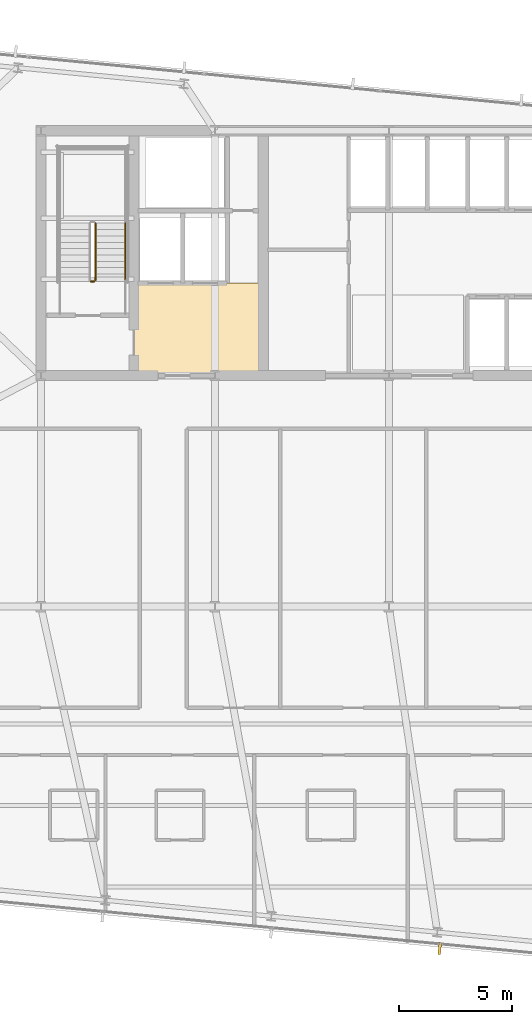
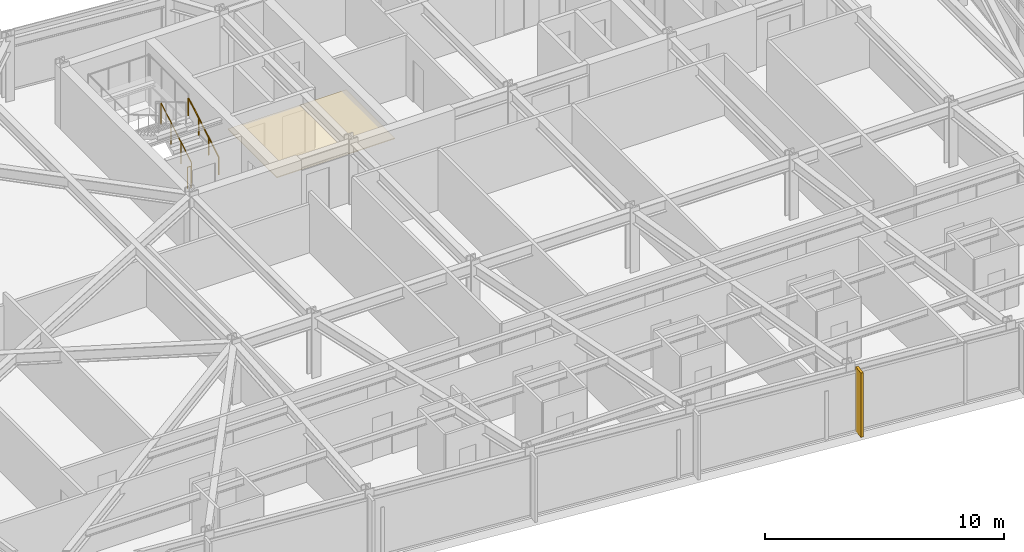
# One storey, part 33 of 37: 3 railings, 1 covering, 1 shading device.
"""IFC4 building model written with IfcOpenShell, lengths in metres."""

from ifc_helpers import new_model, si_unit, direction, frame, origin, origin_2d, place, context, subcontext, project, spatial, polyline, rectangle, circle, outline, extrude, material, layer, layer_set, type_object, element, save


model = new_model("IFC4")

# Units and contexts
model_context = context("Model", 3, precision=1e-05, world=origin(), true_north=direction((0.0, 1.0)))
body_context = subcontext(model_context, "Body", "Model", "MODEL_VIEW")
ifc_project = project(units=[si_unit("LENGTHUNIT", "METRE"), si_unit("AREAUNIT", "SQUARE_METRE"), si_unit("VOLUMEUNIT", "CUBIC_METRE"), si_unit("PLANEANGLEUNIT", "RADIAN"), si_unit("MASSUNIT", "GRAM", prefix="KILO")], contexts=[model_context])

# Site, building, storey
site_placement = place(None, origin())
site = spatial("IfcSite", under=ifc_project, at=site_placement, CompositionType="ELEMENT")
building_placement = place(site_placement, origin())
building = spatial("IfcBuilding", under=site, at=building_placement, Name="Yelkora Congress Tower", CompositionType="ELEMENT")
storey_placement = place(building_placement, frame((0.0, 0.0, 149.0)))
storey = spatial("IfcBuildingStorey", under=building, at=storey_placement, Name="L40", CompositionType="ELEMENT", Elevation=149.0)

# Covering
ifc_material_1 = material(Name="Perforated mineral-fibre acoustic ceiling", Category="gypsum")
ifc_layer_1 = layer(ifc_material_1, 0.0400390625)
ifc_layer_set_1 = layer_set([ifc_layer_1], Name="Perforated mineral-fibre acoustic ceiling")
covering_type = type_object("IfcCoveringType", Name="COV-CEIL-ACOUSTIC-40", PredefinedType="CEILING", material=ifc_layer_set_1)
covering_placement = place(storey_placement, frame((0.0, 0.0, 2.39990234375)))
element("IfcCovering", 1, at=covering_placement, inside=storey, type_object=covering_type, Name="L40 Firefighting Lobby Acoustic Ceiling", PredefinedType="CEILING", context=body_context, shape_type="SweptSolid", body=[
    extrude(outline(polyline([(27.14990234375, 35.39990234375), (32.85009765625, 35.39990234375), (32.85009765625, 39.47998046875), (27.14990234375, 39.47998046875), (27.14990234375, 35.39990234375)])), origin(), (0.0, 0.0, 1.0), 0.0400390625),
])

# Railings
ifc_material_2 = material(Name="Painted galvanised steel stair well guard with vertical infill", Category="steel")
ifc_layer_2 = layer(ifc_material_2, 0.06005859375)
ifc_layer_set_2 = layer_set([ifc_layer_2], Name="Painted galvanised steel stair well guard with vertical infill")
railing_type_1 = type_object("IfcRailingType", Name="RAIL-STAIR-GUARD-1120", PredefinedType="GUARDRAIL", material=ifc_layer_set_2)
railing_1_placement = place(storey_placement, frame((25.449951171875, 39.60009765625, 0.1650390625)))
element("IfcRailing", 2, at=railing_1_placement, inside=storey, type_object=railing_type_1, Name="ST-01 L40 Stair Well Guardrail 1", PredefinedType="GUARDRAIL", context=body_context, shape_type="SweptSolid", body=[
    extrude(circle(Radius=0.02392578125, at=origin_2d()), frame((0.0, 0.0, 1.09619140625), z_axis=(0.0, 0.861560626758, 0.507654692109), x_axis=(-1.0, 0.0, 0.0)), (0.0, 0.0, 1.0), 2.925048828125),
    extrude(circle(Radius=0.02099609375, at=origin_2d()), origin(), (0.0, 0.0, 1.0), 1.072021484375),
    extrude(circle(Radius=0.02099609375, at=origin_2d()), frame((0.0, 0.840087890625, 0.494873046875)), (0.0, 0.0, 1.0), 1.072021484375),
    extrude(circle(Radius=0.02099609375, at=origin_2d()), frame((0.0, 1.679931640625, 0.989990234375)), (0.0, 0.0, 1.0), 1.072021484375),
    extrude(circle(Radius=0.02099609375, at=origin_2d()), frame((0.0, 2.52001953125, 1.48486328125)), (0.0, 0.0, 1.0), 1.072021484375),
])
railing_2_placement = place(storey_placement, frame((25.39990234375, 39.550048828125, 0.0)))
element("IfcRailing", 3, at=railing_2_placement, inside=storey, type_object=railing_type_1, Name="ST-01 L40 Stair Well Guardrail 7", PredefinedType="GUARDRAIL", context=body_context, shape_type="SweptSolid", body=[
    extrude(circle(Radius=0.02392578125, at=origin_2d()), frame((0.0, 0.0, 1.09619140625), z_axis=(-1.0, 0.0, 0.0), x_axis=(0.0, -1.0, 0.0)), (0.0, 0.0, 1.0), 0.159912109375),
    extrude(circle(Radius=0.02099609375, at=origin_2d()), origin(), (0.0, 0.0, 1.0), 1.072021484375),
    extrude(circle(Radius=0.02099609375, at=origin_2d()), frame((-0.159912109375, 0.0, 0.0)), (0.0, 0.0, 1.0), 1.072021484375),
])
ifc_material_3 = material(Name="Brushed stainless steel tubular handrail", Category="steel")
ifc_layer_3 = layer(ifc_material_3, 0.050048828125)
ifc_layer_set_3 = layer_set([ifc_layer_3], Name="Brushed stainless steel tubular handrail")
railing_type_2 = type_object("IfcRailingType", Name="RAIL-STAIR-HAND-920", PredefinedType="HANDRAIL", material=ifc_layer_set_3)
railing_3_placement = place(storey_placement, frame((26.77001953125, 39.60009765625, 0.1650390625)))
element("IfcRailing", 4, at=railing_3_placement, inside=storey, type_object=railing_type_2, Name="ST-01 L40 Pitch Handrail 1", PredefinedType="HANDRAIL", context=body_context, shape_type="SweptSolid", body=[
    extrude(circle(Radius=0.02392578125, at=origin_2d()), frame((0.0, 0.0, 0.89599609375), z_axis=(0.0, 0.861560626758, 0.507654692109), x_axis=(-1.0, 0.0, 0.0)), (0.0, 0.0, 1.0), 2.925048828125),
    extrude(circle(Radius=0.02099609375, at=origin_2d()), origin(), (0.0, 0.0, 1.0), 0.871826171875),
    extrude(circle(Radius=0.02099609375, at=origin_2d()), frame((0.0, 0.840087890625, 0.494873046875)), (0.0, 0.0, 1.0), 0.871826171875),
    extrude(circle(Radius=0.02099609375, at=origin_2d()), frame((0.0, 1.679931640625, 0.989990234375)), (0.0, 0.0, 1.0), 0.871826171875),
    extrude(circle(Radius=0.02099609375, at=origin_2d()), frame((0.0, 2.52001953125, 1.48486328125)), (0.0, 0.0, 1.0), 0.871826171875),
])

# Shading device
ifc_material_4 = material(Name="Champagne anodised aluminium", Category="aluminium")
ifc_layer_4 = layer(ifc_material_4, 3.300048828125)
ifc_layer_set_4 = layer_set([ifc_layer_4], Name="Champagne anodised aluminium")
shading_device_type = type_object("IfcShadingDeviceType", Name="SHD-FIN-ALU-520", PredefinedType="USERDEFINED", material=ifc_layer_set_4)
shading_device_placement = place(storey_placement, frame((40.642333984375, 10.10791015625, -0.02978515625), z_axis=(0.0, 0.0, 1.0), x_axis=(-0.995396198367, 0.09584575252, 0.0)))
element("IfcShadingDevice", 5, at=shading_device_placement, inside=storey, type_object=shading_device_type, Name="L40 Vertical Anodised Solar Fin 20-2", ObjectType="FIN", PredefinedType="USERDEFINED", context=body_context, shape_type="SweptSolid", body=[
    extrude(rectangle(XDim=0.1201171875, YDim=0.52001953125, at=origin_2d()), origin(), (0.0, 0.0, 1.0), 3.280029296875),
])

save(model, "model.ifc")
